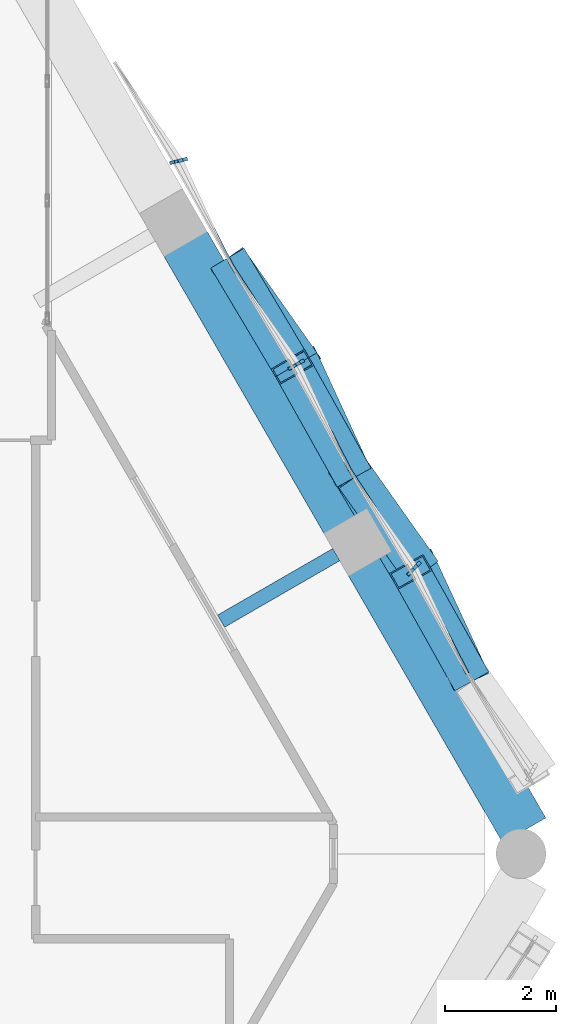
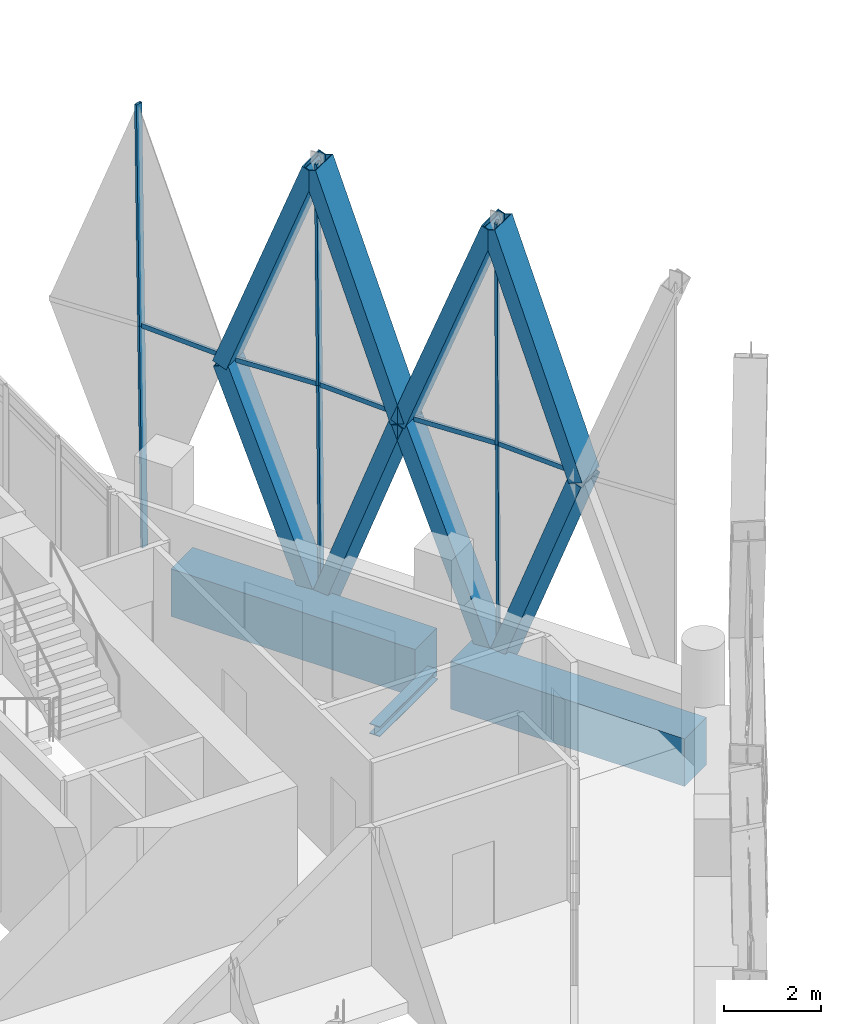
# One storey, part 24 of 37: 19 members, 3 beams, 2 elements without a shape of their own.
"""IFC4 building model written with IfcOpenShell, lengths in metres."""

from ifc_helpers import new_model, si_unit, direction, frame, origin, origin_2d, place, context, subcontext, project, spatial, rectangle, hollow_rectangle, i_section, extrude, material, material_profile, profile_set, type_object, element, aggregate, save


model = new_model("IFC4")

# Units and contexts
model_context = context("Model", 3, precision=1e-05, world=origin(), true_north=direction((0.0, 1.0)))
body_context = subcontext(model_context, "Body", "Model", "MODEL_VIEW")
ifc_project = project(units=[si_unit("LENGTHUNIT", "METRE"), si_unit("AREAUNIT", "SQUARE_METRE"), si_unit("VOLUMEUNIT", "CUBIC_METRE"), si_unit("PLANEANGLEUNIT", "RADIAN"), si_unit("MASSUNIT", "GRAM", prefix="KILO")], contexts=[model_context])

# Site, building, storey
site_placement = place(None, origin())
site = spatial("IfcSite", under=ifc_project, at=site_placement, CompositionType="ELEMENT")
building_placement = place(site_placement, origin())
building = spatial("IfcBuilding", under=site, at=building_placement, Name="Ostrander Bayou Hotel Tower", CompositionType="ELEMENT")
storey_placement = place(building_placement, frame((0.0, 0.0, 225.75)))
storey = spatial("IfcBuildingStorey", under=building, at=storey_placement, Name="L56", CompositionType="ELEMENT", Elevation=225.75)

# Curtain wall, members
ifc_material_1 = material(Name="Aluminium and clear glass", Category="aluminium")
curtain_wall_type = type_object("IfcCurtainWallType", Name="CW-LAT lattice glazing", PredefinedType="NOTDEFINED", material=ifc_material_1)
curtain_wall_1_placement = place(storey_placement, origin())
curtain_wall_1 = element("IfcCurtainWall", 1, at=curtain_wall_1_placement, inside=storey, type_object=curtain_wall_type, Name="CW-LAT L56 NE 1", PredefinedType="NOTDEFINED")
ifc_material_2 = material(Name="Aluminium", Category="aluminium")
ifc_material_profile_1 = material_profile(ifc_material_2, hollow_rectangle(XDim=0.06005859375, YDim=0.159912109375, WallThickness=0.00390625, at=origin_2d()))
ifc_profile_set_1 = profile_set([ifc_material_profile_1], Name="Aluminium")
member_type_1 = type_object("IfcMemberType", Name="CW-LA mullion 60 x 160 mm", PredefinedType="MULLION", material=ifc_profile_set_1)
member_1_placement = place(storey_placement, frame((17.18603515625, 5.04541015625, -0.60009765625), z_axis=(-0.010502269759, -0.010892850039, 0.999885517521), x_axis=(0.719895475853, -0.694082490664, 0.0)))
member_1 = element("IfcMember", 2, at=member_1_placement, type_object=member_type_1, Name="CW-LAT mullion 4", PredefinedType="MULLION", context=body_context, shape_type="SweptSolid", body=[
    extrude(hollow_rectangle(XDim=0.06005859375, YDim=0.159912109375, WallThickness=0.00390625, at=origin_2d()), origin(), (0.0, 0.0, 1.0), 5.625732421875),
])
member_2_placement = place(storey_placement, frame((17.126953125, 4.984130859375, 5.02490234375), z_axis=(-0.010458876707, -0.010892854993, 0.999885972303), x_axis=(0.721329889923, -0.692591647296, 0.0)))
member_2 = element("IfcMember", 3, at=member_2_placement, type_object=member_type_1, Name="CW-LAT mullion 5", PredefinedType="MULLION", context=body_context, shape_type="SweptSolid", body=[
    extrude(hollow_rectangle(XDim=0.06005859375, YDim=0.159912109375, WallThickness=0.00390625, at=origin_2d()), origin(), (0.0, 0.0, 1.0), 5.625732421875),
])
member_3_placement = place(storey_placement, frame((15.07421875, 8.703125, -0.60009765625), z_axis=(-0.012585478078, -0.007247499445, 0.999894534185), x_axis=(0.499032451057, -0.866583298242, 0.0)))
member_3 = element("IfcMember", 4, at=member_3_placement, type_object=member_type_1, Name="CW-LAT mullion 8", PredefinedType="MULLION", context=body_context, shape_type="SweptSolid", body=[
    extrude(hollow_rectangle(XDim=0.06005859375, YDim=0.159912109375, WallThickness=0.00390625, at=origin_2d()), origin(), (0.0, 0.0, 1.0), 5.62548828125),
])
member_4_placement = place(storey_placement, frame((15.00341796875, 8.662353515625, 5.02490234375), z_axis=(-0.012585474108, -0.007290895345, 0.999894218748), x_axis=(0.501271486133, -0.865290065348, 0.0)))
member_4 = element("IfcMember", 5, at=member_4_placement, type_object=member_type_1, Name="CW-LAT mullion 9", PredefinedType="MULLION", context=body_context, shape_type="SweptSolid", body=[
    extrude(hollow_rectangle(XDim=0.06005859375, YDim=0.159912109375, WallThickness=0.00390625, at=origin_2d()), origin(), (0.0, 0.0, 1.0), 5.62548828125),
])
member_5_placement = place(storey_placement, frame((12.962646484375, 12.36083984375, -0.60009765625), z_axis=(-0.014711851516, -0.003645414535, 0.999885129591), x_axis=(0.24051397288, -0.970645676264, 0.0)))
member_5 = element("IfcMember", 6, at=member_5_placement, type_object=member_type_1, Name="CW-LAT mullion 12", PredefinedType="MULLION", context=body_context, shape_type="SweptSolid", body=[
    extrude(hollow_rectangle(XDim=0.06005859375, YDim=0.159912109375, WallThickness=0.00390625, at=origin_2d()), origin(), (0.0, 0.0, 1.0), 5.625732421875),
])
member_6_placement = place(storey_placement, frame((12.8798828125, 12.34033203125, 5.02490234375), z_axis=(-0.014711851516, -0.003645414535, 0.999885129591), x_axis=(0.24051397288, -0.970645676264, 0.0)))
member_6 = element("IfcMember", 7, at=member_6_placement, type_object=member_type_1, Name="CW-LAT mullion 13", PredefinedType="MULLION", context=body_context, shape_type="SweptSolid", body=[
    extrude(hollow_rectangle(XDim=0.06005859375, YDim=0.159912109375, WallThickness=0.00390625, at=origin_2d()), origin(), (0.0, 0.0, 1.0), 5.625732421875),
])
aggregate(curtain_wall_1, [member_1, member_2, member_3, member_4, member_5, member_6])

curtain_wall_2_placement = place(storey_placement, origin())
curtain_wall_2 = element("IfcCurtainWall", 8, at=curtain_wall_2_placement, inside=storey, type_object=curtain_wall_type, Name="CW-LAT L56 NE 2", PredefinedType="NOTDEFINED")
ifc_material_3 = material(Name="Aluminium", Category="aluminium")
ifc_material_profile_2 = material_profile(ifc_material_3, hollow_rectangle(XDim=0.06005859375, YDim=0.1201171875, WallThickness=0.00390625, at=origin_2d()))
ifc_profile_set_2 = profile_set([ifc_material_profile_2], Name="Aluminium")
member_type_2 = type_object("IfcMemberType", Name="CW-LA transom 60 x 120 mm", PredefinedType="USERDEFINED", material=ifc_profile_set_2)
member_7_placement = place(storey_placement, frame((17.126953125, 4.984130859375, 5.02490234375), z_axis=(0.454317882448, -0.890839638593, 0.0), x_axis=(0.890839638593, 0.454317882448, 0.0)))
member_7 = element("IfcMember", 9, at=member_7_placement, type_object=member_type_2, Name="CW-LAT transom 6", ObjectType="TRANSOM", PredefinedType="USERDEFINED", context=body_context, shape_type="SweptSolid", body=[
    extrude(hollow_rectangle(XDim=0.06005859375, YDim=0.1201171875, WallThickness=0.00390625, at=origin_2d()), origin(), (0.0, 0.0, 1.0), 2.12646484375),
])
member_8_placement = place(storey_placement, frame((17.126953125, 4.984130859375, 5.02490234375), z_axis=(-0.544350541291, 0.838857847431, 0.0), x_axis=(-0.838857847431, -0.544350541291, 0.0)))
member_8 = element("IfcMember", 10, at=member_8_placement, type_object=member_type_2, Name="CW-LAT transom 7", ObjectType="TRANSOM", PredefinedType="USERDEFINED", context=body_context, shape_type="SweptSolid", body=[
    extrude(hollow_rectangle(XDim=0.06005859375, YDim=0.1201171875, WallThickness=0.00390625, at=origin_2d()), origin(), (0.0, 0.0, 1.0), 2.126220703125),
])
member_9_placement = place(storey_placement, frame((15.00341796875, 8.662353515625, 5.02490234375), z_axis=(0.454271418671, -0.890863333053, 0.0), x_axis=(0.890863333053, 0.454271418671, 0.0)))
member_9 = element("IfcMember", 11, at=member_9_placement, type_object=member_type_2, Name="CW-LAT transom 10", ObjectType="TRANSOM", PredefinedType="USERDEFINED", context=body_context, shape_type="SweptSolid", body=[
    extrude(hollow_rectangle(XDim=0.06005859375, YDim=0.1201171875, WallThickness=0.00390625, at=origin_2d()), origin(), (0.0, 0.0, 1.0), 2.126708984375),
])
member_10_placement = place(storey_placement, frame((15.00341796875, 8.662353515625, 5.02490234375), z_axis=(-0.544350541291, 0.838857847431, 0.0), x_axis=(-0.838857847431, -0.544350541291, 0.0)))
member_10 = element("IfcMember", 12, at=member_10_placement, type_object=member_type_2, Name="CW-LAT transom 11", ObjectType="TRANSOM", PredefinedType="USERDEFINED", context=body_context, shape_type="SweptSolid", body=[
    extrude(hollow_rectangle(XDim=0.06005859375, YDim=0.1201171875, WallThickness=0.00390625, at=origin_2d()), origin(), (0.0, 0.0, 1.0), 2.126220703125),
])
member_11_placement = place(storey_placement, frame((12.8798828125, 12.34033203125, 5.02490234375), z_axis=(0.454317882448, -0.890839638593, 0.0), x_axis=(0.890839638593, 0.454317882448, 0.0)))
member_11 = element("IfcMember", 13, at=member_11_placement, type_object=member_type_2, Name="CW-LAT transom 14", ObjectType="TRANSOM", PredefinedType="USERDEFINED", context=body_context, shape_type="SweptSolid", body=[
    extrude(hollow_rectangle(XDim=0.06005859375, YDim=0.1201171875, WallThickness=0.00390625, at=origin_2d()), origin(), (0.0, 0.0, 1.0), 2.12646484375),
])
aggregate(curtain_wall_2, [member_7, member_8, member_9, member_10, member_11])

# Beam
ifc_material_4 = material(Name="Steel ASTM A992", Category="steel")
ifc_material_profile_3 = material_profile(ifc_material_4, i_section(OverallWidth=0.25390625, OverallDepth=0.25341796875, WebThickness=0.008544921875, FlangeThickness=0.01416015625, at=origin_2d()))
ifc_profile_set_3 = profile_set([ifc_material_profile_3], Name="Steel ASTM A992")
beam_type_1 = type_object("IfcBeamType", Name="LB2 loggia bracket W10x49", PredefinedType="BEAM", material=ifc_profile_set_3)
beam_1_placement = place(storey_placement, frame((15.725830078125, 5.23486328125, -0.4267578125), z_axis=(-0.866050077142, -0.499957262057, 0.0), x_axis=(0.499957262057, -0.866050077142, 0.0)))
element("IfcBeam", 14, at=beam_1_placement, inside=storey, type_object=beam_type_1, Name="LB2 L56 NE1", PredefinedType="BEAM", context=body_context, shape_type="SweptSolid", body=[
    extrude(i_section(OverallWidth=0.25390625, OverallDepth=0.25341796875, WebThickness=0.008544921875, FlangeThickness=0.01416015625, at=origin_2d()), origin(), (0.0, 0.0, 1.0), 2.400146484375),
])

# Members
ifc_material_5 = material(Name="Steel ASTM A572 Gr 50", Category="steel")
ifc_material_profile_4 = material_profile(ifc_material_5, hollow_rectangle(XDim=0.699951171875, YDim=0.35009765625, WallThickness=0.02490234375, at=origin_2d()))
ifc_profile_set_4 = profile_set([ifc_material_profile_4], Name="Steel ASTM A572 Gr 50")
member_type_3 = type_object("IfcMemberType", Name="LT1 lattice member box 700 x 350 x 25 mm", PredefinedType="BRACE", material=ifc_profile_set_4)
member_12_placement = place(storey_placement, frame((18.093017578125, 3.08984375, 5.02490234375), z_axis=(-0.1505637604, 0.324634110581, -0.933779014704), x_axis=(-0.907178836989, -0.420745240876, 0.0)))
element("IfcMember", 15, at=member_12_placement, inside=storey, type_object=member_type_3, Name="LT1 L56 NE 3", PredefinedType="BRACE", context=body_context, shape_type="SweptSolid", body=[
    extrude(hollow_rectangle(XDim=0.699951171875, YDim=0.35009765625, WallThickness=0.02490234375, at=origin_2d()), origin(), (0.0, 0.0, 1.0), 6.02392578125),
])
member_13_placement = place(storey_placement, frame((18.093017578125, 3.08984375, 5.02490234375), z_axis=(-0.17069626733, 0.305285272777, 0.9368370651), x_axis=(-0.872826974424, -0.488029786712, 0.0)))
element("IfcMember", 16, at=member_13_placement, inside=storey, type_object=member_type_3, Name="LT1 L56 NE 4", PredefinedType="BRACE", context=body_context, shape_type="SweptSolid", body=[
    extrude(hollow_rectangle(XDim=0.699951171875, YDim=0.35009765625, WallThickness=0.02490234375, at=origin_2d()), origin(), (0.0, 0.0, 1.0), 6.004150390625),
])
member_14_placement = place(storey_placement, frame((15.969482421875, 6.767822265625, 5.02490234375), z_axis=(0.202513308805, -0.286721130568, -0.936364967864), x_axis=(0.81680419226, 0.576914995044, 0.0)))
element("IfcMember", 17, at=member_14_placement, inside=storey, type_object=member_type_3, Name="LT1 L56 NE 5", PredefinedType="BRACE", context=body_context, shape_type="SweptSolid", body=[
    extrude(hollow_rectangle(XDim=0.699951171875, YDim=0.35009765625, WallThickness=0.02490234375, at=origin_2d()), origin(), (0.0, 0.0, 1.0), 6.00732421875),
])
member_15_placement = place(storey_placement, frame((15.969482421875, 6.767822265625, 5.02490234375), z_axis=(0.182469112527, -0.306426462971, 0.93424185614), x_axis=(0.859203637036, 0.511633765603, 0.0)))
element("IfcMember", 18, at=member_15_placement, inside=storey, type_object=member_type_3, Name="LT1 L56 NE 6", PredefinedType="BRACE", context=body_context, shape_type="SweptSolid", body=[
    extrude(hollow_rectangle(XDim=0.699951171875, YDim=0.35009765625, WallThickness=0.02490234375, at=origin_2d()), origin(), (0.0, 0.0, 1.0), 6.02099609375),
])
member_16_placement = place(storey_placement, frame((15.969482421875, 6.767822265625, 5.02490234375), z_axis=(-0.148823515483, 0.321713664367, -0.935067847484), x_axis=(-0.907593775874, -0.419849423001, 0.0)))
element("IfcMember", 19, at=member_16_placement, inside=storey, type_object=member_type_3, Name="LT1 L56 NE 7", PredefinedType="BRACE", context=body_context, shape_type="SweptSolid", body=[
    extrude(hollow_rectangle(XDim=0.699951171875, YDim=0.35009765625, WallThickness=0.02490234375, at=origin_2d()), origin(), (0.0, 0.0, 1.0), 6.015625),
])
member_17_placement = place(storey_placement, frame((15.969482421875, 6.767822265625, 5.02490234375), z_axis=(-0.172449025991, 0.308272428849, 0.935536981122), x_axis=(-0.87272743242, -0.488207772061, 0.0)))
element("IfcMember", 20, at=member_17_placement, inside=storey, type_object=member_type_3, Name="LT1 L56 NE 8", PredefinedType="BRACE", context=body_context, shape_type="SweptSolid", body=[
    extrude(hollow_rectangle(XDim=0.699951171875, YDim=0.35009765625, WallThickness=0.02490234375, at=origin_2d()), origin(), (0.0, 0.0, 1.0), 6.0126953125),
])
member_18_placement = place(storey_placement, frame((13.845947265625, 10.446044921875, 5.02490234375), z_axis=(0.20418216524, -0.289734938908, -0.935073958879), x_axis=(0.817415039758, 0.576049175658, 0.0)))
element("IfcMember", 21, at=member_18_placement, inside=storey, type_object=member_type_3, Name="LT1 L56 NE 9", PredefinedType="BRACE", context=body_context, shape_type="SweptSolid", body=[
    extrude(hollow_rectangle(XDim=0.699951171875, YDim=0.35009765625, WallThickness=0.02490234375, at=origin_2d()), origin(), (0.0, 0.0, 1.0), 6.015625),
])
member_19_placement = place(storey_placement, frame((13.845947265625, 10.446044921875, 5.02490234375), z_axis=(0.180732932323, -0.303481899839, 0.935539600254), x_axis=(0.859182190739, 0.511669779366, 0.0)))
element("IfcMember", 22, at=member_19_placement, inside=storey, type_object=member_type_3, Name="LT1 L56 NE 10", PredefinedType="BRACE", context=body_context, shape_type="SweptSolid", body=[
    extrude(hollow_rectangle(XDim=0.699951171875, YDim=0.35009765625, WallThickness=0.02490234375, at=origin_2d()), origin(), (0.0, 0.0, 1.0), 6.012451171875),
])

# Beams
ifc_material_6 = material(Name="Concrete f'c 60 MPa", Category="concrete")
ifc_material_profile_5 = material_profile(ifc_material_6, rectangle(XDim=0.89990234375, YDim=1.199951171875, at=origin_2d()))
ifc_profile_set_5 = profile_set([ifc_material_profile_5], Name="Concrete f'c 60 MPa")
beam_type_2 = type_object("IfcBeamType", Name="SP4 spandrel beam 900 x 1200 mm f'c 60 MPa", PredefinedType="SPANDREL", material=ifc_profile_set_5)
beam_2_placement = place(storey_placement, frame((19.11865234375, 0.25830078125, -0.60009765625), z_axis=(-0.500007442593, 0.866021106759, 0.0), x_axis=(-0.866021106759, -0.500007442593, 0.0)))
element("IfcBeam", 23, at=beam_2_placement, inside=storey, type_object=beam_type_2, Name="SP4 L56 NE-1", PredefinedType="SPANDREL", context=body_context, shape_type="SweptSolid", body=[
    extrude(rectangle(XDim=0.89990234375, YDim=1.199951171875, at=origin_2d()), origin(), (0.0, 0.0, 1.0), 5.58642578125),
])
beam_3_placement = place(storey_placement, frame((15.905517578125, 5.823486328125, -0.60009765625), z_axis=(-0.499997265274, 0.866026982673, 0.0), x_axis=(-0.866026982673, -0.499997265274, 0.0)))
element("IfcBeam", 24, at=beam_3_placement, inside=storey, type_object=beam_type_2, Name="SP4 L56 NE-2", PredefinedType="SPANDREL", context=body_context, shape_type="SweptSolid", body=[
    extrude(rectangle(XDim=0.89990234375, YDim=1.199951171875, at=origin_2d()), origin(), (0.0, 0.0, 1.0), 5.81884765625),
])

save(model, "model.ifc")
